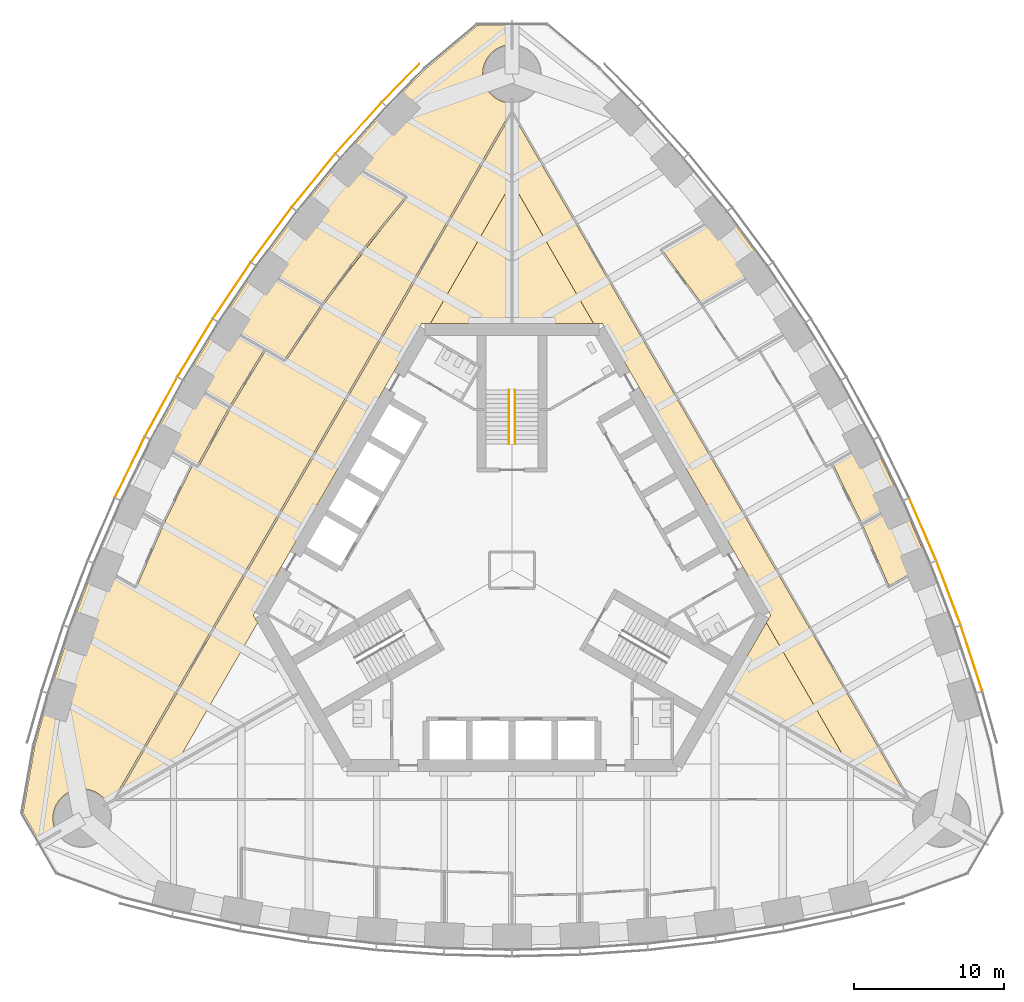
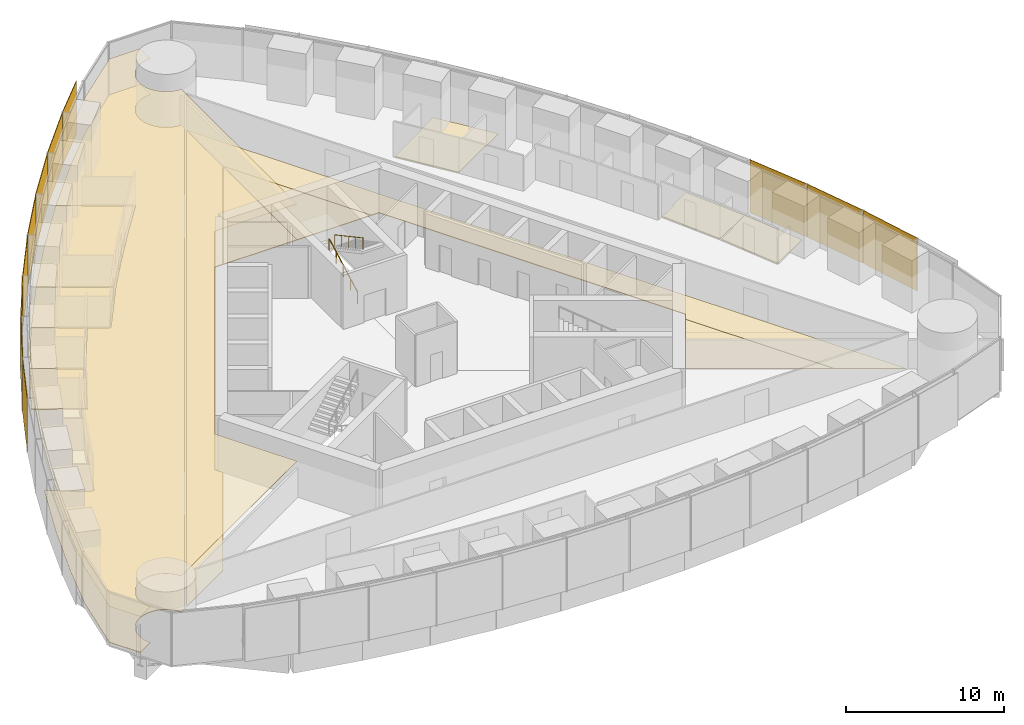
# One storey, part 16 of 19: 14 coverings, 11 shading devices, 2 railings.
"""IFC4 building model written with IfcOpenShell, lengths in metres."""

from ifc_helpers import new_model, si_unit, direction, frame, origin, origin_2d, place, context, subcontext, project, spatial, polyline, rectangle, circle, outline, extrude, material, layer, layer_set, type_object, element, save


model = new_model("IFC4")

# Units and contexts
model_context = context("Model", 3, precision=1e-05, world=origin(), true_north=direction((0.0, 1.0)))
body_context = subcontext(model_context, "Body", "Model", "MODEL_VIEW")
ifc_project = project(units=[si_unit("LENGTHUNIT", "METRE"), si_unit("AREAUNIT", "SQUARE_METRE"), si_unit("VOLUMEUNIT", "CUBIC_METRE"), si_unit("PLANEANGLEUNIT", "RADIAN"), si_unit("MASSUNIT", "GRAM", prefix="KILO")], contexts=[model_context])

# Site, building, storey
site_placement = place(None, origin())
site = spatial("IfcSite", under=ifc_project, at=site_placement, CompositionType="ELEMENT")
building_placement = place(site_placement, origin())
building = spatial("IfcBuilding", under=site, at=building_placement, Name="Trefoil Bronze Tower", CompositionType="ELEMENT")
storey_placement = place(building_placement, frame((0.0, 0.0, 189.699951171875)))
storey = spatial("IfcBuildingStorey", under=building, at=storey_placement, Name="L43", CompositionType="ELEMENT", Elevation=189.699951171875)

# Shading devices
ifc_material_1 = material(Name="Perforated bronze sheet", Category="bronze")
ifc_layer_1 = layer(ifc_material_1, 0.0400390625)
ifc_layer_set_1 = layer_set([ifc_layer_1], Name="Bronze solar screen panel")
shading_device_type = type_object("IfcShadingDeviceType", Name="Bronze solar screen panel", PredefinedType="SHUTTER", material=ifc_layer_set_1)
shading_device_1_placement = place(storey_placement, frame((30.5634765625, -5.86572265625, 0.050048828125), z_axis=(0.0, 0.0, 1.0), x_axis=(-0.310148591821, 0.950688093431, 0.0)))
element("IfcShadingDevice", 1, at=shading_device_1_placement, inside=storey, type_object=shading_device_type, Name="Solar screen CW-A L43 F2 bay 2", PredefinedType="SHUTTER", context=body_context, shape_type="SweptSolid", body=[
    extrude(rectangle(XDim=4.5693359375, YDim=0.0400390625, at=origin_2d()), origin(), (0.0, 0.0, 1.0), 4.10009765625),
])
shading_device_2_placement = place(storey_placement, frame((29.0341796875, -1.52392578125, 0.050048828125), z_axis=(0.0, 0.0, 1.0), x_axis=(-0.354233936517, 0.935156841508, 0.0)))
element("IfcShadingDevice", 2, at=shading_device_2_placement, inside=storey, type_object=shading_device_type, Name="Solar screen CW-A L43 F2 bay 3", PredefinedType="SHUTTER", context=body_context, shape_type="SweptSolid", body=[
    extrude(rectangle(XDim=4.529296875, YDim=0.0400390625, at=origin_2d()), origin(), (0.0, 0.0, 1.0), 4.10009765625),
])
shading_device_3_placement = place(storey_placement, frame((27.317626953125, 2.709716796875, 0.050048828125), z_axis=(0.0, 0.0, 1.0), x_axis=(-0.397220305764, 0.917723285467, 0.0)))
element("IfcShadingDevice", 3, at=shading_device_3_placement, inside=storey, type_object=shading_device_type, Name="Solar screen CW-A L43 F2 bay 4", PredefinedType="SHUTTER", context=body_context, shape_type="SweptSolid", body=[
    extrude(rectangle(XDim=4.5, YDim=0.0400390625, at=origin_2d()), origin(), (0.0, 0.0, 1.0), 4.10009765625),
])
shading_device_4_placement = place(storey_placement, frame((-7.40478515625, 32.40380859375, 0.050048828125), z_axis=(0.0, 0.0, 1.0), x_axis=(-0.698651812425, -0.715461840349, 0.0)))
element("IfcShadingDevice", 4, at=shading_device_4_placement, inside=storey, type_object=shading_device_type, Name="Solar screen CW-A L43 F3 bay 1", PredefinedType="SHUTTER", context=body_context, shape_type="SweptSolid", body=[
    extrude(rectangle(XDim=3.53369140625, YDim=0.0400390625, at=origin_2d()), origin(), (0.0, 0.0, 1.0), 4.10009765625),
])
shading_device_5_placement = place(storey_placement, frame((-10.20166015625, 29.401611328125, 0.050048828125), z_axis=(0.0, 0.0, 1.0), x_axis=(-0.668245744076, -0.743940606181, 0.0)))
element("IfcShadingDevice", 5, at=shading_device_5_placement, inside=storey, type_object=shading_device_type, Name="Solar screen CW-A L43 F3 bay 2", PredefinedType="SHUTTER", context=body_context, shape_type="SweptSolid", body=[
    extrude(rectangle(XDim=4.5693359375, YDim=0.0400390625, at=origin_2d()), origin(), (0.0, 0.0, 1.0), 4.10009765625),
])
shading_device_6_placement = place(storey_placement, frame((-13.197509765625, 25.90625, 0.050048828125), z_axis=(0.0, 0.0, 1.0), x_axis=(-0.63275261301, -0.774354008661, 0.0)))
element("IfcShadingDevice", 6, at=shading_device_6_placement, inside=storey, type_object=shading_device_type, Name="Solar screen CW-A L43 F3 bay 3", PredefinedType="SHUTTER", context=body_context, shape_type="SweptSolid", body=[
    extrude(rectangle(XDim=4.529296875, YDim=0.0400390625, at=origin_2d()), origin(), (0.0, 0.0, 1.0), 4.10009765625),
])
shading_device_7_placement = place(storey_placement, frame((-16.005615234375, 22.302734375, 0.050048828125), z_axis=(0.0, 0.0, 1.0), x_axis=(-0.596161525977, -0.802864518425, 0.0)))
element("IfcShadingDevice", 7, at=shading_device_7_placement, inside=storey, type_object=shading_device_type, Name="Solar screen CW-A L43 F3 bay 4", PredefinedType="SHUTTER", context=body_context, shape_type="SweptSolid", body=[
    extrude(rectangle(XDim=4.5, YDim=0.0400390625, at=origin_2d()), origin(), (0.0, 0.0, 1.0), 4.10009765625),
])
shading_device_8_placement = place(storey_placement, frame((-18.6298828125, 18.59326171875, 0.050048828125), z_axis=(0.0, 0.0, 1.0), x_axis=(-0.558493494706, -0.829508900718, 0.0)))
element("IfcShadingDevice", 8, at=shading_device_8_placement, inside=storey, type_object=shading_device_type, Name="Solar screen CW-A L43 F3 bay 5", PredefinedType="SHUTTER", context=body_context, shape_type="SweptSolid", body=[
    extrude(rectangle(XDim=4.480712890625, YDim=0.0400390625, at=origin_2d()), origin(), (0.0, 0.0, 1.0), 4.10009765625),
])
for number, where, z_axis, x_axis, name in (
    (9, (-21.07275390625, 14.77880859375, 0.050048828125), (0.0, 0.0, 1.0), (-0.519762112739, -0.854311035959, 0.0), "Solar screen CW-A L43 F3 bay 6"),
    (10, (-23.3349609375, 10.860107421875, 0.050048828125), (0.0, 0.0, 1.0), (-0.479974003504, -0.877282711536, 0.0), "Solar screen CW-A L43 F3 bay 7"),
):
    element("IfcShadingDevice", number, at=place(storey_placement, frame(where, z_axis=z_axis, x_axis=x_axis)), inside=storey, type_object=shading_device_type, Name=name, PredefinedType="SHUTTER", context=body_context, shape_type="SweptSolid", body=[
        extrude(rectangle(XDim=4.47119140625, YDim=0.0400390625, at=origin_2d()), origin(), (0.0, 0.0, 1.0), 4.10009765625),
    ])
shading_device_9_placement = place(storey_placement, frame((-25.4169921875, 6.83740234375, 0.050048828125), z_axis=(0.0, 0.0, 1.0), x_axis=(-0.439129033334, -0.898424004623, 0.0)))
element("IfcShadingDevice", 11, at=shading_device_9_placement, inside=storey, type_object=shading_device_type, Name="Solar screen CW-A L43 F3 bay 8", PredefinedType="SHUTTER", context=body_context, shape_type="SweptSolid", body=[
    extrude(rectangle(XDim=4.480712890625, YDim=0.0400390625, at=origin_2d()), origin(), (0.0, 0.0, 1.0), 4.10009765625),
])

# Railings
ifc_material_2 = material(Name="Steel handrail", Category="steel")
railing_type = type_object("IfcRailingType", Name="Handrail 900", PredefinedType="HANDRAIL", material=ifc_material_2)
railing_1_placement = place(storey_placement, frame((-0.199951171875, 8.389892578125, 0.16162109375)))
element("IfcRailing", 12, at=railing_1_placement, inside=storey, type_object=railing_type, Name="Handrail ST2 flight 1 L43", PredefinedType="HANDRAIL", context=body_context, shape_type="SweptSolid", body=[
    extrude(circle(Radius=0.02392578125, at=origin_2d()), frame((0.0, 0.0, 0.8759765625), z_axis=(0.0, 0.880474934443, 0.474092701714), x_axis=(-1.0, 0.0, 0.0)), (0.0, 0.0, 1.0), 4.0888671875),
    extrude(circle(Radius=0.02099609375, at=origin_2d()), origin(), (0.0, 0.0, 1.0), 0.851806640625),
    extrude(circle(Radius=0.02099609375, at=origin_2d()), frame((0.0, 0.89990234375, 0.484619140625)), (0.0, 0.0, 1.0), 0.851806640625),
    extrude(circle(Radius=0.02099609375, at=origin_2d()), frame((0.0, 1.800048828125, 0.96923828125)), (0.0, 0.0, 1.0), 0.851806640625),
    extrude(circle(Radius=0.02099609375, at=origin_2d()), frame((0.0, 2.7001953125, 1.453857421875)), (0.0, 0.0, 1.0), 0.851806640625),
    extrude(circle(Radius=0.02099609375, at=origin_2d()), frame((0.0, 3.60009765625, 1.9384765625)), (0.0, 0.0, 1.0), 0.851806640625),
])
railing_2_placement = place(storey_placement, frame((0.199951171875, 11.989990234375, 2.261474609375)))
element("IfcRailing", 13, at=railing_2_placement, inside=storey, type_object=railing_type, Name="Handrail ST2 flight 2 L43", PredefinedType="HANDRAIL", context=body_context, shape_type="SweptSolid", body=[
    extrude(circle(Radius=0.02392578125, at=origin_2d()), frame((0.0, 0.0, 0.8759765625), z_axis=(0.0, -0.880474934443, 0.474092701714), x_axis=(1.0, 0.0, 0.0)), (0.0, 0.0, 1.0), 4.0888671875),
    extrude(circle(Radius=0.02099609375, at=origin_2d()), origin(), (0.0, 0.0, 1.0), 0.851806640625),
    extrude(circle(Radius=0.02099609375, at=origin_2d()), frame((0.0, -0.89990234375, 0.484619140625)), (0.0, 0.0, 1.0), 0.851806640625),
    extrude(circle(Radius=0.02099609375, at=origin_2d()), frame((0.0, -1.800048828125, 0.96923828125)), (0.0, 0.0, 1.0), 0.851806640625),
    extrude(circle(Radius=0.02099609375, at=origin_2d()), frame((0.0, -2.7001953125, 1.453857421875)), (0.0, 0.0, 1.0), 0.851806640625),
    extrude(circle(Radius=0.02099609375, at=origin_2d()), frame((0.0, -3.60009765625, 1.9384765625)), (0.0, 0.0, 1.0), 0.851806640625),
])

# Coverings
ifc_material_3 = material(Name="Acoustic ceiling panels", Category="mineral fibre")
ifc_layer_2 = layer(ifc_material_3, 0.02001953125)
ifc_layer_set_2 = layer_set([ifc_layer_2], Name="Office ceiling 20")
covering_type_1 = type_object("IfcCoveringType", Name="Office ceiling 20", PredefinedType="CEILING", material=ifc_layer_set_2)
covering_1_placement = place(storey_placement, frame((0.0, 0.0, 2.900146484375)))
element("IfcCovering", 14, at=covering_1_placement, inside=storey, type_object=covering_type_1, Name="Ceiling L43 Open-plan office F3", PredefinedType="CEILING", context=body_context, shape_type="SweptSolid", body=[
    extrude(outline(polyline([(-30.76318359375, -8.219482421875), (-29.3369140625, -3.846923828125), (-27.7216796875, 0.416748046875), (-25.92236328125, 4.573974609375), (-23.94140625, 8.62646484375), (-21.781005859375, 12.5751953125), (-19.44140625, 16.420654296875), (-16.92236328125, 20.162353515625), (-14.2216796875, 23.79931640625), (-11.3369140625, 27.329833984375), (-8.26318359375, 30.751708984375), (-5.7734375, 33.30126953125), (-2.280029296875, 36.232666015625), (-0.013671875, 36.232666015625), (-0.01318359375, 34.94970703125), (-0.095703125, 34.94775390625), (-0.191162109375, 34.940673828125), (-0.2861328125, 34.928955078125), (-0.38037109375, 34.91259765625), (-0.473876953125, 34.8916015625), (-0.566162109375, 34.865966796875), (-0.656982421875, 34.8359375), (-0.74609375, 34.801513671875), (-0.833740234375, 34.7626953125), (-0.919189453125, 34.7197265625), (-1.00244140625, 34.672607421875), (-1.08349609375, 34.621337890625), (-1.16162109375, 34.56640625), (-1.237060546875, 34.50732421875), (-1.3095703125, 34.44482421875), (-1.37890625, 34.37890625), (-1.44482421875, 34.3095703125), (-1.50732421875, 34.237060546875), (-1.56640625, 34.16162109375), (-1.621337890625, 34.08349609375), (-1.672607421875, 34.00244140625), (-1.7197265625, 33.919189453125), (-1.7626953125, 33.833740234375), (-1.801513671875, 33.74609375), (-1.8359375, 33.656982421875), (-1.865966796875, 33.566162109375), (-1.8916015625, 33.473876953125), (-1.91259765625, 33.38037109375), (-1.928955078125, 33.2861328125), (-1.940673828125, 33.191162109375), (-1.94775390625, 33.095703125), (-1.949951171875, 33.0), (-1.94775390625, 32.904296875), (-1.940673828125, 32.808837890625), (-1.928955078125, 32.7138671875), (-1.91259765625, 32.61962890625), (-1.8916015625, 32.526123046875), (-1.865966796875, 32.433837890625), (-1.8359375, 32.343017578125), (-1.801513671875, 32.25390625), (-1.7626953125, 32.166259765625), (-1.7197265625, 32.080810546875), (-1.672607421875, 31.99755859375), (-1.621337890625, 31.91650390625), (-1.56640625, 31.83837890625), (-1.50732421875, 31.762939453125), (-1.44482421875, 31.6904296875), (-1.37890625, 31.62109375), (-1.3095703125, 31.55517578125), (-1.237060546875, 31.49267578125), (-1.16162109375, 31.43359375), (-1.08349609375, 31.378662109375), (-1.00244140625, 31.327392578125), (-0.919189453125, 31.2802734375), (-0.833740234375, 31.2373046875), (-0.74609375, 31.198486328125), (-0.656982421875, 31.1640625), (-0.566162109375, 31.134033203125), (-0.473876953125, 31.1083984375), (-0.38037109375, 31.08740234375), (-0.2861328125, 31.071044921875), (-0.191162109375, 31.059326171875), (-0.095703125, 31.05224609375), (-0.01171875, 31.05029296875), (-0.006103515625, 16.39990234375), (-6.00439453125, 16.39990234375), (-17.205078125, -3.0), (-14.205810546875, -8.194580078125), (-26.896240234375, -15.51513671875), (-26.95751953125, -15.41650390625), (-27.0126953125, -15.33837890625), (-27.071533203125, -15.262939453125), (-27.134033203125, -15.1904296875), (-27.199951171875, -15.12109375), (-27.269287109375, -15.05517578125), (-27.341796875, -14.99267578125), (-27.417236328125, -14.93359375), (-27.49560546875, -14.878662109375), (-27.576416015625, -14.827392578125), (-27.65966796875, -14.7802734375), (-27.7451171875, -14.7373046875), (-27.83251953125, -14.698486328125), (-27.921875, -14.6640625), (-28.0126953125, -14.634033203125), (-28.10498046875, -14.6083984375), (-28.198486328125, -14.58740234375), (-28.292724609375, -14.571044921875), (-28.3876953125, -14.559326171875), (-28.483154296875, -14.55224609375), (-28.578857421875, -14.550048828125), (-28.674560546875, -14.55224609375), (-28.77001953125, -14.559326171875), (-28.864990234375, -14.571044921875), (-28.959228515625, -14.58740234375), (-29.052490234375, -14.6083984375), (-29.14501953125, -14.634033203125), (-29.23583984375, -14.6640625), (-29.3251953125, -14.698486328125), (-29.41259765625, -14.7373046875), (-29.498046875, -14.7802734375), (-29.581298828125, -14.827392578125), (-29.662109375, -14.878662109375), (-29.740478515625, -14.93359375), (-29.81591796875, -14.99267578125), (-29.888427734375, -15.05517578125), (-29.957763671875, -15.12109375), (-30.023681640625, -15.1904296875), (-30.086181640625, -15.262939453125), (-30.14501953125, -15.33837890625), (-30.2001953125, -15.41650390625), (-30.25146484375, -15.49755859375), (-30.298583984375, -15.580810546875), (-30.341552734375, -15.666259765625), (-30.38037109375, -15.75390625), (-30.414794921875, -15.843017578125), (-30.44482421875, -15.933837890625), (-30.470458984375, -16.026123046875), (-30.491455078125, -16.11962890625), (-30.5078125, -16.2138671875), (-30.519287109375, -16.308837890625), (-30.526611328125, -16.404296875), (-30.52880859375, -16.5), (-30.526611328125, -16.595703125), (-30.519287109375, -16.691162109375), (-30.5078125, -16.7861328125), (-30.491455078125, -16.88037109375), (-30.470458984375, -16.973876953125), (-30.44482421875, -17.066162109375), (-30.414794921875, -17.156982421875), (-30.38037109375, -17.24609375), (-30.341552734375, -17.333740234375), (-30.298583984375, -17.419189453125), (-30.273681640625, -17.46337890625), (-31.385009765625, -18.1044921875), (-32.518310546875, -16.1416015625), (-31.7265625, -11.650634765625), (-30.76318359375, -8.219482421875)])), origin(), (0.0, 0.0, 1.0), 0.02001953125),
])
ifc_material_4 = material(Name="Raised access floor panels", Category="steel")
ifc_layer_3 = layer(ifc_material_4, 0.050048828125)
ifc_layer_set_3 = layer_set([ifc_layer_3], Name="Raised access floor 150")
covering_type_2 = type_object("IfcCoveringType", Name="Raised access floor 150", PredefinedType="FLOORING", material=ifc_layer_set_3)
covering_2_placement = place(storey_placement, frame((0.0, 0.0, 0.10009765625)))
element("IfcCovering", 15, at=covering_2_placement, inside=storey, type_object=covering_type_2, Name="Raised floor L43 Meeting room F2", PredefinedType="FLOORING", context=body_context, shape_type="SweptSolid", body=[
    extrude(outline(polyline([(16.92236328125, 20.162353515625), (15.504638671875, 19.343994140625), (15.474609375, 19.39599609375), (12.6083984375, 17.7412109375), (9.97998046875, 21.281005859375), (12.82666015625, 22.924560546875), (12.796630859375, 22.9765625), (14.2216796875, 23.79931640625), (16.92236328125, 20.162353515625)])), origin(), (0.0, 0.0, 1.0), 0.050048828125),
])
covering_3_placement = place(storey_placement, frame((0.0, 0.0, 0.10009765625)))
element("IfcCovering", 16, at=covering_3_placement, inside=storey, type_object=covering_type_2, Name="Raised floor L43 Print and store room F2", PredefinedType="FLOORING", context=body_context, shape_type="SweptSolid", body=[
    extrude(outline(polyline([(23.94140625, 8.62646484375), (25.92236328125, 4.573974609375), (24.504638671875, 3.755615234375), (24.474609375, 3.8076171875), (23.26318359375, 3.108154296875), (21.33544921875, 7.052490234375), (22.558349609375, 7.7587890625), (22.5283203125, 7.810546875), (23.94140625, 8.62646484375)])), origin(), (0.0, 0.0, 1.0), 0.050048828125),
])
covering_4_placement = place(storey_placement, frame((0.0, 0.0, 0.10009765625)))
element("IfcCovering", 17, at=covering_4_placement, inside=storey, type_object=covering_type_2, Name="Raised floor L43 Comms room F2", PredefinedType="FLOORING", context=body_context, shape_type="SweptSolid", body=[
    extrude(outline(polyline([(25.92236328125, 4.573974609375), (27.7216796875, 0.416748046875), (26.296630859375, -0.406005859375), (26.2666015625, -0.354248046875), (25.0654296875, -1.047607421875), (23.31396484375, 2.998779296875), (24.53466796875, 3.70361328125), (24.504638671875, 3.755615234375), (25.92236328125, 4.573974609375)])), origin(), (0.0, 0.0, 1.0), 0.050048828125),
])
covering_5_placement = place(storey_placement, frame((0.0, 0.0, 0.10009765625)))
element("IfcCovering", 18, at=covering_5_placement, inside=storey, type_object=covering_type_2, Name="Raised floor L43 Corridor F2", PredefinedType="FLOORING", context=body_context, shape_type="SweptSolid", body=[
    extrude(outline(polyline([(26.31591796875, -15.180419921875), (22.333740234375, -12.88330078125), (16.91650390625, -3.5), (17.205078125, -3.0), (6.00439453125, 16.39990234375), (5.427001953125, 16.39990234375), (0.009765625, 25.783203125), (0.011474609375, 30.38037109375), (26.31591796875, -15.180419921875)])), origin(), (0.0, 0.0, 1.0), 0.050048828125),
])
covering_6_placement = place(storey_placement, frame((0.0, 0.0, 0.10009765625)))
element("IfcCovering", 19, at=covering_6_placement, inside=storey, type_object=covering_type_2, Name="Raised floor L43 Open-plan office F2", PredefinedType="FLOORING", context=body_context, shape_type="SweptSolid", body=[
    extrude(outline(polyline([(22.333740234375, -12.88330078125), (14.205810546875, -8.194580078125), (16.91650390625, -3.5), (22.333740234375, -12.88330078125)])), origin(), (0.0, 0.0, 1.0), 0.050048828125),
])
covering_7_placement = place(storey_placement, frame((0.0, 0.0, 0.10009765625)))
element("IfcCovering", 20, at=covering_7_placement, inside=storey, type_object=covering_type_2, Name="Raised floor L43 Open-plan office F2", PredefinedType="FLOORING", context=body_context, shape_type="SweptSolid", body=[
    extrude(outline(polyline([(0.006103515625, 16.39990234375), (0.009765625, 25.783203125), (5.427001953125, 16.39990234375), (0.006103515625, 16.39990234375)])), origin(), (0.0, 0.0, 1.0), 0.050048828125),
])
covering_8_placement = place(storey_placement, frame((0.0, 0.0, 0.10009765625)))
element("IfcCovering", 21, at=covering_8_placement, inside=storey, type_object=covering_type_2, Name="Raised floor L43 Kitchen and breakout F3", PredefinedType="FLOORING", context=body_context, shape_type="SweptSolid", body=[
    extrude(outline(polyline([(-14.2216796875, 23.79931640625), (-11.3369140625, 27.329833984375), (-9.90087890625, 26.5009765625), (-9.930908203125, 26.448974609375), (-7.097900390625, 24.813232421875), (-9.93798828125, 21.33740234375), (-9.8916015625, 21.29931640625), (-9.939697265625, 21.335205078125), (-12.6083984375, 17.7412109375), (-15.474609375, 19.39599609375), (-15.504638671875, 19.343994140625), (-16.92236328125, 20.162353515625), (-14.2216796875, 23.79931640625)])), origin(), (0.0, 0.0, 1.0), 0.050048828125),
])
covering_9_placement = place(storey_placement, frame((0.0, 0.0, 0.10009765625)))
element("IfcCovering", 22, at=covering_9_placement, inside=storey, type_object=covering_type_2, Name="Raised floor L43 Meeting room F3", PredefinedType="FLOORING", context=body_context, shape_type="SweptSolid", body=[
    extrude(outline(polyline([(-16.92236328125, 20.162353515625), (-15.504638671875, 19.343994140625), (-15.53466796875, 19.2919921875), (-12.677978515625, 17.642578125), (-15.1298828125, 14.000732421875), (-17.998291015625, 15.65673828125), (-18.0283203125, 15.60498046875), (-19.44140625, 16.420654296875), (-16.92236328125, 20.162353515625)])), origin(), (0.0, 0.0, 1.0), 0.050048828125),
])
covering_10_placement = place(storey_placement, frame((0.0, 0.0, 0.10009765625)))
element("IfcCovering", 23, at=covering_10_placement, inside=storey, type_object=covering_type_2, Name="Raised floor L43 Focus room F3", PredefinedType="FLOORING", context=body_context, shape_type="SweptSolid", body=[
    extrude(outline(polyline([(-21.781005859375, 12.5751953125), (-19.44140625, 16.420654296875), (-18.0283203125, 15.60498046875), (-18.058349609375, 15.552978515625), (-16.49365234375, 14.6494140625), (-18.770751953125, 10.906494140625), (-20.339599609375, 11.812255859375), (-20.369384765625, 11.76025390625), (-21.781005859375, 12.5751953125)])), origin(), (0.0, 0.0, 1.0), 0.050048828125),
])
covering_11_placement = place(storey_placement, frame((0.0, 0.0, 0.10009765625)))
element("IfcCovering", 24, at=covering_11_placement, inside=storey, type_object=covering_type_2, Name="Raised floor L43 Focus room F3", PredefinedType="FLOORING", context=body_context, shape_type="SweptSolid", body=[
    extrude(outline(polyline([(-23.94140625, 8.62646484375), (-21.781005859375, 12.5751953125), (-20.369384765625, 11.76025390625), (-20.3994140625, 11.70849609375), (-18.830810546875, 10.802734375), (-20.93359375, 6.959228515625), (-22.498291015625, 7.862548828125), (-22.5283203125, 7.810546875), (-23.94140625, 8.62646484375)])), origin(), (0.0, 0.0, 1.0), 0.050048828125),
])
covering_12_placement = place(storey_placement, frame((0.0, 0.0, 0.10009765625)))
element("IfcCovering", 25, at=covering_12_placement, inside=storey, type_object=covering_type_2, Name="Raised floor L43 Corridor F3", PredefinedType="FLOORING", context=body_context, shape_type="SweptSolid", body=[
    extrude(outline(polyline([(-0.011474609375, 30.38037109375), (-0.009765625, 25.783203125), (-5.427001953125, 16.39990234375), (-6.00439453125, 16.39990234375), (-17.205078125, -3.0), (-16.91650390625, -3.5), (-22.333740234375, -12.88330078125), (-26.31591796875, -15.180419921875), (-0.011474609375, 30.38037109375)])), origin(), (0.0, 0.0, 1.0), 0.050048828125),
])
covering_13_placement = place(storey_placement, frame((0.0, 0.0, 0.10009765625)))
element("IfcCovering", 26, at=covering_13_placement, inside=storey, type_object=covering_type_2, Name="Raised floor L43 Open-plan office F3", PredefinedType="FLOORING", context=body_context, shape_type="SweptSolid", body=[
    extrude(outline(polyline([(-29.3369140625, -3.846923828125), (-27.7216796875, 0.416748046875), (-26.296630859375, -0.406005859375), (-26.32666015625, -0.4580078125), (-25.067138671875, -1.185302734375), (-25.037109375, -1.13330078125), (-24.98193359375, -1.156982421875), (-23.18310546875, 2.998779296875), (-21.231201171875, 6.992431640625), (-20.9404296875, 6.824462890625), (-20.910400390625, 6.87646484375), (-20.85791015625, 6.84765625), (-18.697998046875, 10.79541015625), (-16.3896484375, 14.589599609375), (-15.141357421875, 13.868896484375), (-15.111328125, 13.920654296875), (-15.0615234375, 13.88720703125), (-12.543212890625, 17.627685546875), (-11.007080078125, 19.6962890625), (-8.60205078125, 22.78271484375), (-6.960205078125, 24.7919921875), (-7.006591796875, 24.829833984375), (-6.976806640625, 24.8818359375), (-9.870849609375, 26.552734375), (-9.90087890625, 26.5009765625), (-11.3369140625, 27.329833984375), (-8.26318359375, 30.751708984375), (-5.7734375, 33.30126953125), (-2.280029296875, 36.232666015625), (-0.013671875, 36.232666015625), (-0.01318359375, 34.94970703125), (-0.095703125, 34.94775390625), (-0.191162109375, 34.940673828125), (-0.2861328125, 34.928955078125), (-0.38037109375, 34.91259765625), (-0.473876953125, 34.8916015625), (-0.566162109375, 34.865966796875), (-0.656982421875, 34.8359375), (-0.74609375, 34.801513671875), (-0.833740234375, 34.7626953125), (-0.919189453125, 34.7197265625), (-1.00244140625, 34.672607421875), (-1.08349609375, 34.621337890625), (-1.16162109375, 34.56640625), (-1.237060546875, 34.50732421875), (-1.3095703125, 34.44482421875), (-1.37890625, 34.37890625), (-1.44482421875, 34.3095703125), (-1.50732421875, 34.237060546875), (-1.56640625, 34.16162109375), (-1.621337890625, 34.08349609375), (-1.672607421875, 34.00244140625), (-1.7197265625, 33.919189453125), (-1.7626953125, 33.833740234375), (-1.801513671875, 33.74609375), (-1.8359375, 33.656982421875), (-1.865966796875, 33.566162109375), (-1.8916015625, 33.473876953125), (-1.91259765625, 33.38037109375), (-1.928955078125, 33.2861328125), (-1.940673828125, 33.191162109375), (-1.94775390625, 33.095703125), (-1.949951171875, 33.0), (-1.94775390625, 32.904296875), (-1.940673828125, 32.808837890625), (-1.928955078125, 32.7138671875), (-1.91259765625, 32.61962890625), (-1.8916015625, 32.526123046875), (-1.865966796875, 32.433837890625), (-1.8359375, 32.343017578125), (-1.801513671875, 32.25390625), (-1.7626953125, 32.166259765625), (-1.7197265625, 32.080810546875), (-1.672607421875, 31.99755859375), (-1.621337890625, 31.91650390625), (-1.56640625, 31.83837890625), (-1.50732421875, 31.762939453125), (-1.44482421875, 31.6904296875), (-1.37890625, 31.62109375), (-1.3095703125, 31.55517578125), (-1.237060546875, 31.49267578125), (-1.16162109375, 31.43359375), (-1.08349609375, 31.378662109375), (-1.00244140625, 31.327392578125), (-0.919189453125, 31.2802734375), (-0.833740234375, 31.2373046875), (-0.74609375, 31.198486328125), (-0.656982421875, 31.1640625), (-0.566162109375, 31.134033203125), (-0.473876953125, 31.1083984375), (-0.38037109375, 31.08740234375), (-0.2861328125, 31.071044921875), (-0.191162109375, 31.059326171875), (-0.095703125, 31.05224609375), (-0.01171875, 31.05029296875), (-0.011474609375, 30.488525390625), (-0.068359375, 30.521484375), (-26.466552734375, -15.201416015625), (-26.40966796875, -15.234375), (-26.896240234375, -15.51513671875), (-26.95751953125, -15.41650390625), (-27.0126953125, -15.33837890625), (-27.071533203125, -15.262939453125), (-27.134033203125, -15.1904296875), (-27.199951171875, -15.12109375), (-27.269287109375, -15.05517578125), (-27.341796875, -14.99267578125), (-27.417236328125, -14.93359375), (-27.49560546875, -14.878662109375), (-27.576416015625, -14.827392578125), (-27.65966796875, -14.7802734375), (-27.7451171875, -14.7373046875), (-27.83251953125, -14.698486328125), (-27.921875, -14.6640625), (-28.0126953125, -14.634033203125), (-28.10498046875, -14.6083984375), (-28.198486328125, -14.58740234375), (-28.292724609375, -14.571044921875), (-28.3876953125, -14.559326171875), (-28.483154296875, -14.55224609375), (-28.578857421875, -14.550048828125), (-28.674560546875, -14.55224609375), (-28.77001953125, -14.559326171875), (-28.864990234375, -14.571044921875), (-28.959228515625, -14.58740234375), (-29.052490234375, -14.6083984375), (-29.14501953125, -14.634033203125), (-29.23583984375, -14.6640625), (-29.3251953125, -14.698486328125), (-29.41259765625, -14.7373046875), (-29.498046875, -14.7802734375), (-29.581298828125, -14.827392578125), (-29.662109375, -14.878662109375), (-29.740478515625, -14.93359375), (-29.81591796875, -14.99267578125), (-29.888427734375, -15.05517578125), (-29.957763671875, -15.12109375), (-30.023681640625, -15.1904296875), (-30.086181640625, -15.262939453125), (-30.14501953125, -15.33837890625), (-30.2001953125, -15.41650390625), (-30.25146484375, -15.49755859375), (-30.298583984375, -15.580810546875), (-30.341552734375, -15.666259765625), (-30.38037109375, -15.75390625), (-30.414794921875, -15.843017578125), (-30.44482421875, -15.933837890625), (-30.470458984375, -16.026123046875), (-30.491455078125, -16.11962890625), (-30.5078125, -16.2138671875), (-30.519287109375, -16.308837890625), (-30.526611328125, -16.404296875), (-30.52880859375, -16.5), (-30.526611328125, -16.595703125), (-30.519287109375, -16.691162109375), (-30.5078125, -16.7861328125), (-30.491455078125, -16.88037109375), (-30.470458984375, -16.973876953125), (-30.44482421875, -17.066162109375), (-30.414794921875, -17.156982421875), (-30.38037109375, -17.24609375), (-30.341552734375, -17.333740234375), (-30.298583984375, -17.419189453125), (-30.273681640625, -17.46337890625), (-31.385009765625, -18.1044921875), (-32.518310546875, -16.1416015625), (-31.7265625, -11.650634765625), (-30.76318359375, -8.219482421875), (-29.3369140625, -3.846923828125)])), origin(), (0.0, 0.0, 1.0), 0.050048828125),
])
covering_14_placement = place(storey_placement, frame((0.0, 0.0, 0.10009765625)))
element("IfcCovering", 27, at=covering_14_placement, inside=storey, type_object=covering_type_2, Name="Raised floor L43 Open-plan office F3", PredefinedType="FLOORING", context=body_context, shape_type="SweptSolid", body=[
    extrude(outline(polyline([(-0.009765625, 25.783203125), (-0.006103515625, 16.39990234375), (-5.427001953125, 16.39990234375), (-0.009765625, 25.783203125)])), origin(), (0.0, 0.0, 1.0), 0.050048828125),
])

save(model, "model.ifc")
